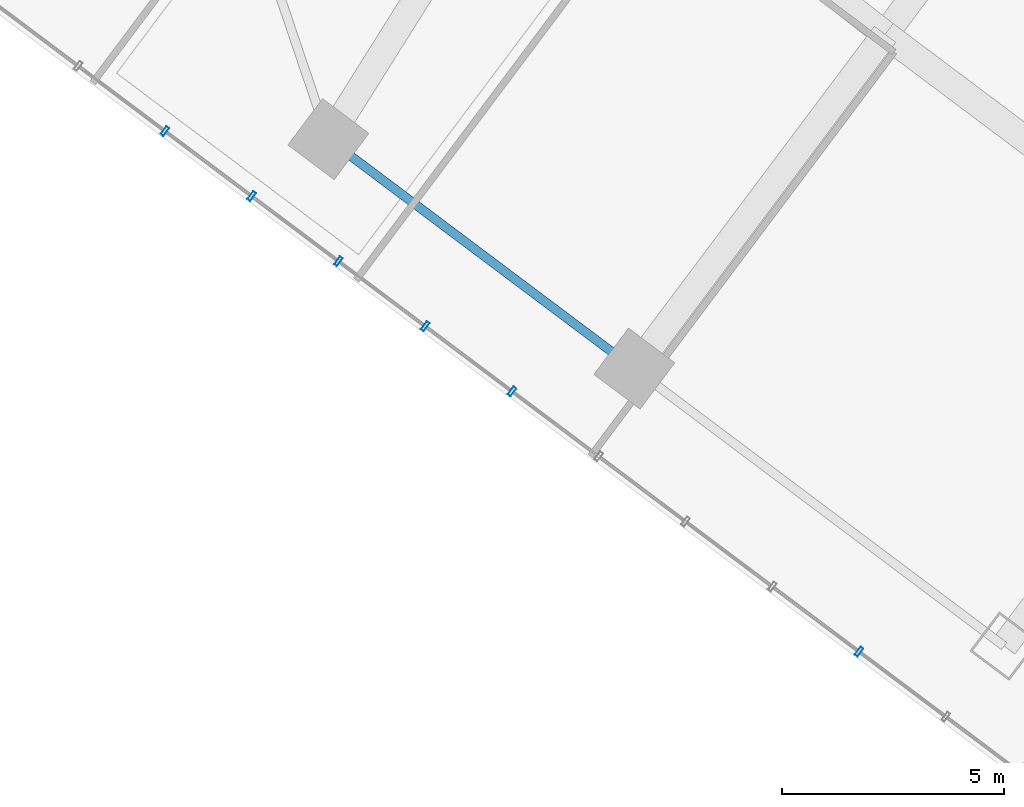
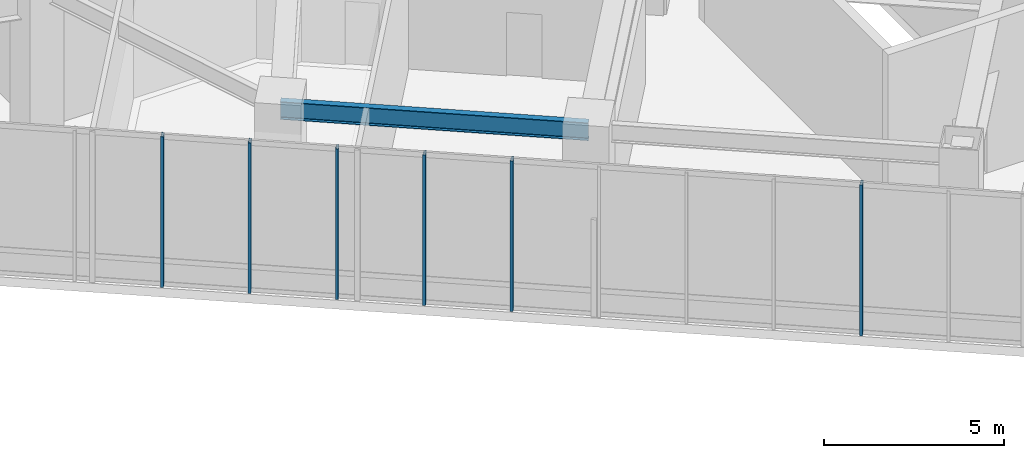
# One storey, part 8 of 38: 6 members, 1 beam, 1 element without a shape of its own.
"""IFC4 building model written with IfcOpenShell, lengths in metres."""

import ifcopenshell
import ifcopenshell.guid

model = None  # the IFC model being written
_history = None  # IfcOwnerHistory: only IFC2X3 demands one
_inside = {}  # id of a spatial element -> (the spatial element, [elements in it])
_under = {}  # id of a project, library or spatial element -> (it, [spatial elements below it])
_declared = {}  # id of a project -> (the project, [libraries it declares])
_typed = {}  # id of a type object -> (the type object, [elements of that type])
_made_of = {}  # id of a material, layer set ... -> (it, [elements and type objects made of it])


def new_model(schema):
    """Start an empty IFC model of exactly this schema.

    Asked for "IFC4X3", IfcOpenShell would pick the latest addendum, in which some entities
    have other attributes; the version numbers below select the first issue.
    IFC2X3 requires an IfcOwnerHistory on every rooted entity: one is made here for all.
    """
    global model, _history
    if schema == "IFC4X3":
        model = ifcopenshell.file(schema_version=(4, 3, 0, 0))
    else:
        model = ifcopenshell.file(schema=schema)
    _inside.clear()
    _under.clear()
    _declared.clear()
    _typed.clear()
    _made_of.clear()
    _history = None
    if model.schema == "IFC2X3":
        org = make("IfcOrganization", Name="unknown")
        user = make(
            "IfcPersonAndOrganization",
            ThePerson=make("IfcPerson", FamilyName="unknown"),
            TheOrganization=org,
        )
        app = make(
            "IfcApplication",
            ApplicationDeveloper=org,
            Version="unknown",
            ApplicationFullName="unknown",
            ApplicationIdentifier="unknown",
        )
        _history = make(
            "IfcOwnerHistory",
            OwningUser=user,
            OwningApplication=app,
            ChangeAction="ADDED",
            CreationDate=0,
        )
    return model


def make(cls, **values):
    """One entity of the class cls with the attributes given. An attribute that is None is left unset."""
    return model.create_entity(
        cls, **{name: value for name, value in values.items() if value is not None}
    )


def rooted(cls, **values):
    """An entity with a GlobalId (a new one), such as an element, a storey or a relation."""
    return make(cls, GlobalId=ifcopenshell.guid.new(), OwnerHistory=_history, **values)


def si_unit(unit_type, name, prefix=None):
    """IfcSIUnit, for example si_unit("LENGTHUNIT", "METRE", prefix="MILLI")."""
    return make("IfcSIUnit", UnitType=unit_type, Prefix=prefix, Name=name)


def assignment(units):
    """IfcUnitAssignment: the units of a project."""
    return None if units is None else make("IfcUnitAssignment", Units=units)


def point(xyz):
    """IfcCartesianPoint."""
    return None if xyz is None else make("IfcCartesianPoint", Coordinates=xyz)


def direction(xyz):
    """IfcDirection."""
    return None if xyz is None else make("IfcDirection", DirectionRatios=xyz)


def frame(location, z_axis=None, x_axis=None):
    """IfcAxis2Placement3D, a coordinate frame: its origin and axes. An axis left out is left unset."""
    return make(
        "IfcAxis2Placement3D",
        Location=point(location),
        Axis=direction(z_axis),
        RefDirection=direction(x_axis),
    )


def frame_2d(location, x_axis=None):
    """IfcAxis2Placement2D, a coordinate frame in the plane: its origin and x axis."""
    return make(
        "IfcAxis2Placement2D", Location=point(location), RefDirection=direction(x_axis)
    )


def origin():
    """The frame at (0, 0, 0) with its axes left unset."""
    return frame((0.0, 0.0, 0.0))


def origin_2d():
    """The frame at (0, 0) in the plane with its x axis left unset."""
    return frame_2d((0.0, 0.0))


def place(relative_to, where):
    """IfcLocalPlacement: puts the frame where relative to a parent placement (None: the world)."""
    return make(
        "IfcLocalPlacement", PlacementRelTo=relative_to, RelativePlacement=where
    )


def context(
    kind, dimensions, precision=None, world=None, true_north=None, identifier=None
):
    """IfcGeometricRepresentationContext, for example the 3D "Model" context."""
    return make(
        "IfcGeometricRepresentationContext",
        ContextIdentifier=identifier,
        ContextType=kind,
        CoordinateSpaceDimension=dimensions,
        Precision=precision,
        WorldCoordinateSystem=world,
        TrueNorth=true_north,
    )


def subcontext(parent, identifier, kind, view, scale=None):
    """IfcGeometricRepresentationSubContext, for example "Body" below "Model"."""
    return make(
        "IfcGeometricRepresentationSubContext",
        ContextIdentifier=identifier,
        ContextType=kind,
        ParentContext=parent,
        TargetScale=scale,
        TargetView=view,
    )


def project(units=None, contexts=None):
    """IfcProject with its units and contexts."""
    return rooted(
        "IfcProject",
        Name="project",
        RepresentationContexts=contexts,
        UnitsInContext=assignment(units),
    )


def spatial(cls, under=None, at=None, **own):
    """A site, building, storey or space (cls), placed at a placement, below another one or the project."""
    s = rooted(cls, ObjectPlacement=at, **own)
    if under is not None:
        _under.setdefault(under.id(), (under, []))[1].append(s)
    return s


def profile(cls, at=None, kind="AREA", **sizes):
    """A parametric profile (cls). Its sizes go by their IFC names, for example OverallWidth=200.0."""
    return make(cls, ProfileType=kind, Position=at, **sizes)


def hollow_rectangle(**sizes):
    """IfcRectangleHollowProfileDef."""
    return profile("IfcRectangleHollowProfileDef", **sizes)


def i_section(**sizes):
    """IfcIShapeProfileDef."""
    return profile("IfcIShapeProfileDef", **sizes)


def extrude(swept, where, along, depth):
    """IfcExtrudedAreaSolid: the profile swept, set in the frame where, extruded along a direction by depth."""
    return make(
        "IfcExtrudedAreaSolid",
        SweptArea=swept,
        Position=where,
        ExtrudedDirection=direction(along),
        Depth=depth,
    )


def shape(context_of_items, identifier, shape_type, items):
    """IfcShapeRepresentation: the items that make up one representation, for example the "Body"."""
    return make(
        "IfcShapeRepresentation",
        ContextOfItems=context_of_items,
        RepresentationIdentifier=identifier,
        RepresentationType=shape_type,
        Items=items,
    )


def material(Name=None, Category=None):
    """IfcMaterial."""
    return make("IfcMaterial", Name=Name, Category=Category)


def layer(
    of_material, thickness, ventilated=None, Name=None, Category=None, Priority=None
):
    """IfcMaterialLayer: one layer of a wall or slab, of a material (None: an air gap)."""
    return make(
        "IfcMaterialLayer",
        Material=of_material,
        LayerThickness=thickness,
        IsVentilated=ventilated,
        Name=Name,
        Category=Category,
        Priority=Priority,
    )


def layer_set(layers, Name=None):
    """IfcMaterialLayerSet."""
    return make("IfcMaterialLayerSet", MaterialLayers=layers, LayerSetName=Name)


def material_profile(
    of_material, cross_section, Name=None, Category=None, Priority=None
):
    """IfcMaterialProfile: a cross section and its material."""
    return make(
        "IfcMaterialProfile",
        Name=Name,
        Material=of_material,
        Profile=cross_section,
        Priority=Priority,
        Category=Category,
    )


def profile_set(profiles, Name=None, composite=None):
    """IfcMaterialProfileSet."""
    return make(
        "IfcMaterialProfileSet",
        Name=Name,
        MaterialProfiles=profiles,
        CompositeProfile=composite,
    )


def made_of(thing, what):
    """Note that an element or type object is made of a material, layer set ...; save() writes the relation."""
    if what is not None:
        _made_of.setdefault(what.id(), (what, []))[1].append(thing)
    return thing


def type_object(cls, material=None, **own):
    """A type object (cls), such as IfcWallType, which elements share."""
    return made_of(rooted(cls, **own), material)


def element(
    cls,
    number,
    at=None,
    inside=None,
    cuts=None,
    type_object=None,
    material=None,
    context=None,
    identifier="Body",
    shape_type=None,
    held_by="IfcProductDefinitionShape",
    body=None,
    shapes=None,
    **own,
):
    """One element of the class cls, such as IfcWall. Its Tag is "e" and its number.

    at: its placement. inside: the storey or other place that contains it. cuts: it is an
    opening in that element (IfcRelVoidsElement). A single representation is given by context,
    identifier, shape_type and body (its items); several are given by shapes. held_by: the class
    of the entity that holds the representations. save() writes the other relations.
    """
    e = rooted(cls, Tag="e%d" % number, ObjectPlacement=at, **own)
    if body is not None:
        shapes = [shape(context, identifier, shape_type, body)]
    if shapes is not None:
        e.Representation = make(held_by, Representations=shapes)
    if inside is not None:
        _inside.setdefault(inside.id(), (inside, []))[1].append(e)
    if cuts is not None:
        rooted(
            "IfcRelVoidsElement", RelatingBuildingElement=cuts, RelatedOpeningElement=e
        )
    if type_object is not None:
        _typed.setdefault(type_object.id(), (type_object, []))[1].append(e)
    return made_of(e, material)


def aggregate(whole, parts):
    """IfcRelAggregates: a whole, such as a stair, and the parts it consists of."""
    return rooted("IfcRelAggregates", RelatingObject=whole, RelatedObjects=parts)


def save(model, path):
    """Write the relations noted so far, then the file.

    IfcRelAggregates (storeys below a building ...), IfcRelContainedInSpatialStructure (elements
    in a storey), IfcRelDefinesByType, IfcRelAssociatesMaterial and IfcRelDeclares: one each for
    every whole, place, type object, material and project.
    """
    for whole, parts in _under.values():
        aggregate(whole, parts)
    for where, things in _inside.values():
        rooted(
            "IfcRelContainedInSpatialStructure",
            RelatedElements=things,
            RelatingStructure=where,
        )
    for kind, things in _typed.values():
        rooted("IfcRelDefinesByType", RelatedObjects=things, RelatingType=kind)
    for what, things in _made_of.values():
        rooted("IfcRelAssociatesMaterial", RelatedObjects=things, RelatingMaterial=what)
    for by, libraries in _declared.values():
        rooted("IfcRelDeclares", RelatingContext=by, RelatedDefinitions=libraries)
    model.write(path)


model = new_model("IFC4")

# Units and contexts
model_context = context("Model", 3, precision=1e-05, world=origin(), true_north=direction((0.0, 1.0)))
body_context = subcontext(model_context, "Body", "Model", "MODEL_VIEW")
ifc_project = project(units=[si_unit("LENGTHUNIT", "METRE"), si_unit("AREAUNIT", "SQUARE_METRE"), si_unit("VOLUMEUNIT", "CUBIC_METRE"), si_unit("PLANEANGLEUNIT", "RADIAN"), si_unit("MASSUNIT", "GRAM", prefix="KILO")], contexts=[model_context])

# Site, building, storey
site_placement = place(None, origin())
site = spatial("IfcSite", under=ifc_project, at=site_placement, CompositionType="ELEMENT")
building_placement = place(site_placement, origin())
building = spatial("IfcBuilding", under=site, at=building_placement, Name="Hatsunagi Terrace Concourse", CompositionType="ELEMENT")
storey_placement = place(building_placement, frame((0.0, 0.0, 21.60009765625)))
storey = spatial("IfcBuildingStorey", under=building, at=storey_placement, Name="L05", CompositionType="ELEMENT", Elevation=21.60009765625)

# Curtain wall, members
ifc_material_1 = material(Name="Anodised Aluminium Alloy 6063-T5", Category="aluminium")
ifc_layer = layer(ifc_material_1, 0.199951171875)
ifc_layer_set = layer_set([ifc_layer], Name="PodiumStorefront_CW01")
curtain_wall_type = type_object("IfcCurtainWallType", Name="PodiumStorefront_CW01", PredefinedType="NOTDEFINED", material=ifc_layer_set)
curtain_wall_placement = place(storey_placement, origin())
curtain_wall = element("IfcCurtainWall", 1, at=curtain_wall_placement, inside=storey, type_object=curtain_wall_type, Name="Unitised Curtain Wall CW-01 CW-L05-05", PredefinedType="NOTDEFINED")
ifc_material_2 = material(Name="Anodised Aluminium Alloy 6063-T5", Category="aluminium")
ifc_material_profile_1 = material_profile(ifc_material_2, hollow_rectangle(XDim=0.080078125, YDim=0.219970703125, WallThickness=0.0048828125, at=origin_2d()), Name="ALU-MUL-220x80x5")
ifc_profile_set_1 = profile_set([ifc_material_profile_1], Name="Anodised Aluminium Alloy 6063-T5")
member_type = type_object("IfcMemberType", Name="CurtainWallMullion_Heavy_220x80", PredefinedType="MULLION", material=ifc_profile_set_1)
member_1_placement = place(storey_placement, frame((50.614990234375, 4.513916015625, 0.0), z_axis=(0.0, 0.0, 1.0), x_axis=(-0.800003116929, 0.599995844072, 0.0)))
member_1 = element("IfcMember", 2, at=member_1_placement, type_object=member_type, Name="Curtain Wall Mullion MUL-01", PredefinedType="MULLION", context=body_context, shape_type="SweptSolid", body=[
    extrude(hollow_rectangle(XDim=0.080078125, YDim=0.219970703125, WallThickness=0.0048828125, at=origin_2d()), origin(), (0.0, 0.0, 1.0), 5.099853515625),
])
member_2_placement = place(storey_placement, frame((42.81005859375, 10.367919921875, 0.0), z_axis=(0.0, 0.0, 1.0), x_axis=(-0.800003116929, 0.599995844072, 0.0)))
member_2 = element("IfcMember", 3, at=member_2_placement, type_object=member_type, Name="Curtain Wall Mullion MUL-01", PredefinedType="MULLION", context=body_context, shape_type="SweptSolid", body=[
    extrude(hollow_rectangle(XDim=0.080078125, YDim=0.219970703125, WallThickness=0.0048828125, at=origin_2d()), origin(), (0.0, 0.0, 1.0), 5.099853515625),
])
member_3_placement = place(storey_placement, frame((40.85791015625, 11.83203125, 0.0), z_axis=(0.0, 0.0, 1.0), x_axis=(-0.800003116929, 0.599995844072, 0.0)))
member_3 = element("IfcMember", 4, at=member_3_placement, type_object=member_type, Name="Curtain Wall Mullion MUL-01", PredefinedType="MULLION", context=body_context, shape_type="SweptSolid", body=[
    extrude(hollow_rectangle(XDim=0.080078125, YDim=0.219970703125, WallThickness=0.0048828125, at=origin_2d()), origin(), (0.0, 0.0, 1.0), 5.099853515625),
])
member_4_placement = place(storey_placement, frame((38.906982421875, 13.294921875, 0.0), z_axis=(0.0, 0.0, 1.0), x_axis=(-0.800003116929, 0.599995844072, 0.0)))
member_4 = element("IfcMember", 5, at=member_4_placement, type_object=member_type, Name="Curtain Wall Mullion MUL-01", PredefinedType="MULLION", context=body_context, shape_type="SweptSolid", body=[
    extrude(hollow_rectangle(XDim=0.080078125, YDim=0.219970703125, WallThickness=0.0048828125, at=origin_2d()), origin(), (0.0, 0.0, 1.0), 5.099853515625),
])
member_5_placement = place(storey_placement, frame((36.955078125, 14.759033203125, 0.0), z_axis=(0.0, 0.0, 1.0), x_axis=(-0.800003116929, 0.599995844072, 0.0)))
member_5 = element("IfcMember", 6, at=member_5_placement, type_object=member_type, Name="Curtain Wall Mullion MUL-01", PredefinedType="MULLION", context=body_context, shape_type="SweptSolid", body=[
    extrude(hollow_rectangle(XDim=0.080078125, YDim=0.219970703125, WallThickness=0.0048828125, at=origin_2d()), origin(), (0.0, 0.0, 1.0), 5.099853515625),
])
member_6_placement = place(storey_placement, frame((35.00390625, 16.221923828125, 0.0), z_axis=(0.0, 0.0, 1.0), x_axis=(-0.800003116929, 0.599995844072, 0.0)))
member_6 = element("IfcMember", 7, at=member_6_placement, type_object=member_type, Name="Curtain Wall Mullion MUL-01", PredefinedType="MULLION", context=body_context, shape_type="SweptSolid", body=[
    extrude(hollow_rectangle(XDim=0.080078125, YDim=0.219970703125, WallThickness=0.0048828125, at=origin_2d()), origin(), (0.0, 0.0, 1.0), 5.099853515625),
])
aggregate(curtain_wall, [member_1, member_2, member_3, member_4, member_5, member_6])

# Beam
ifc_material_3 = material(Name="Steel SN490B", Category="steel")
ifc_material_profile_2 = material_profile(ifc_material_3, i_section(OverallWidth=0.199951171875, OverallDepth=0.60009765625, WebThickness=0.010986328125, FlangeThickness=0.01708984375, FilletRadius=0.01806640625, at=origin_2d()), Name="H-600x200x11x17")
ifc_profile_set_2 = profile_set([ifc_material_profile_2], Name="Steel SN490B")
beam_type = type_object("IfcBeamType", Name="PerimeterSpandrel_H_600x200", PredefinedType="SPANDREL", material=ifc_profile_set_2)
beam_placement = place(storey_placement, frame((38.679931640625, 16.0400390625, 4.7998046875), z_axis=(0.799996593451, -0.600004542038, 0.0), x_axis=(0.600004542038, 0.799996593451, 0.0)))
element("IfcBeam", 8, at=beam_placement, inside=storey, type_object=beam_type, Name="Beam SP-01 BM-L05-SE-SW2", PredefinedType="SPANDREL", context=body_context, shape_type="SweptSolid", body=[
    extrude(i_section(OverallWidth=0.199951171875, OverallDepth=0.60009765625, WebThickness=0.010986328125, FlangeThickness=0.01708984375, FilletRadius=0.01806640625, at=origin_2d()), origin(), (0.0, 0.0, 1.0), 8.60009765625),
])

save(model, "model.ifc")
